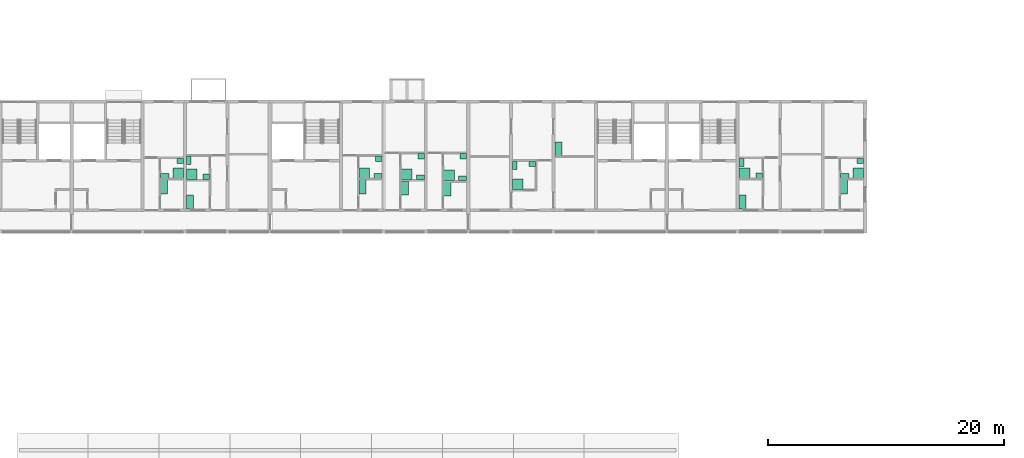
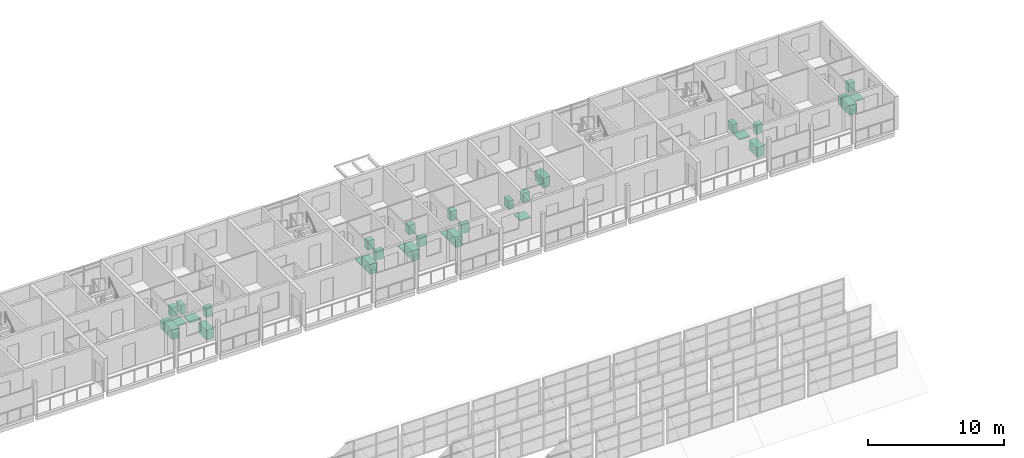
# One storey, part 122 of 122: 32 sanitary terminals.
"""IFC4 building model written with IfcOpenShell, lengths in metres."""

from ifc_helpers import new_model, si_unit, direction, frame, origin, origin_2d, place, context, subcontext, project, spatial, rectangle, extrude, element, save


model = new_model("IFC4")

# Units and contexts
model_context = context("Model", 3, precision=1e-05, world=origin(), true_north=direction((0.0, 1.0)))
body_context = subcontext(model_context, "Body", "Model", "MODEL_VIEW")
ifc_project = project(units=[si_unit("LENGTHUNIT", "METRE"), si_unit("AREAUNIT", "SQUARE_METRE"), si_unit("VOLUMEUNIT", "CUBIC_METRE"), si_unit("PLANEANGLEUNIT", "RADIAN"), si_unit("MASSUNIT", "GRAM", prefix="KILO")], contexts=[model_context])

# Site, building, storey
site_placement = place(None, origin())
site = spatial("IfcSite", under=ifc_project, at=site_placement, CompositionType="ELEMENT")
building_placement = place(site_placement, origin())
building = spatial("IfcBuilding", under=site, at=building_placement, Name="Ridgestep Commons", CompositionType="ELEMENT")
storey_placement = place(building_placement, frame((0.0, 0.0, 3.0)))
storey = spatial("IfcBuildingStorey", under=building, at=storey_placement, Name="L01", CompositionType="ELEMENT", Elevation=3.0)

# Sanitary terminals
sanitary_terminal_1_placement = place(storey_placement, frame((190.574951171875, 70.9599609375, 0.0), z_axis=(0.0, 0.0, 1.0), x_axis=(1.0, 0.0, 0.0)))
element("IfcSanitaryTerminal", 1, at=sanitary_terminal_1_placement, inside=storey, Name="Shower tray C3-01a", PredefinedType="SHOWER", context=body_context, shape_type="SweptSolid", body=[
    extrude(rectangle(XDim=0.89990234375, YDim=0.89990234375, at=origin_2d()), origin(), (0.0, 0.0, 1.0), 0.10009765625),
])
sanitary_terminal_2_placement = place(storey_placement, frame((190.324951171875, 72.14990234375, 0.0), z_axis=(0.0, 0.0, 1.0), x_axis=(1.0, 0.0, 0.0)))
element("IfcSanitaryTerminal", 2, at=sanitary_terminal_2_placement, inside=storey, Name="WC C3-01a", PredefinedType="TOILETPAN", context=body_context, shape_type="SweptSolid", body=[
    extrude(rectangle(XDim=0.39990234375, YDim=0.699951171875, at=origin_2d()), origin(), (0.0, 0.0, 1.0), 0.800048828125),
])
sanitary_terminal_3_placement = place(storey_placement, frame((191.7900390625, 70.735107421875, 0.0), z_axis=(0.0, 0.0, 1.0), x_axis=(1.0, 0.0, 0.0)))
element("IfcSanitaryTerminal", 3, at=sanitary_terminal_3_placement, inside=storey, Name="Basin C3-01a", PredefinedType="WASHHANDBASIN", context=body_context, shape_type="SweptSolid", body=[
    extrude(rectangle(XDim=0.550048828125, YDim=0.449951171875, at=origin_2d()), origin(), (0.0, 0.0, 1.0), 0.85009765625),
])
sanitary_terminal_4_placement = place(storey_placement, frame((190.425048828125, 68.60009765625, 0.0), z_axis=(0.0, 0.0, 1.0), x_axis=(1.0, 0.0, 0.0)))
element("IfcSanitaryTerminal", 4, at=sanitary_terminal_4_placement, inside=storey, Name="Kitchen sink C3-01a", PredefinedType="SINK", context=body_context, shape_type="SweptSolid", body=[
    extrude(rectangle(XDim=0.60009765625, YDim=1.199951171875, at=origin_2d()), origin(), (0.0, 0.0, 1.0), 0.89990234375),
])
sanitary_terminal_5_placement = place(storey_placement, frame((189.425048828125, 71.06005859375, 0.0), z_axis=(0.0, 0.0, 1.0), x_axis=(1.0, 0.0, 0.0)))
element("IfcSanitaryTerminal", 5, at=sanitary_terminal_5_placement, inside=storey, Name="Shower tray C3-01b", PredefinedType="SHOWER", context=body_context, shape_type="SweptSolid", body=[
    extrude(rectangle(XDim=0.89990234375, YDim=0.89990234375, at=origin_2d()), origin(), (0.0, 0.0, 1.0), 0.10009765625),
])
sanitary_terminal_6_placement = place(storey_placement, frame((188.284912109375, 70.81005859375, 0.0), z_axis=(0.0, 0.0, 1.0), x_axis=(1.0, 0.0, 0.0)))
element("IfcSanitaryTerminal", 6, at=sanitary_terminal_6_placement, inside=storey, Name="WC C3-01b", PredefinedType="TOILETPAN", context=body_context, shape_type="SweptSolid", body=[
    extrude(rectangle(XDim=0.699951171875, YDim=0.39990234375, at=origin_2d()), origin(), (0.0, 0.0, 1.0), 0.800048828125),
])
sanitary_terminal_7_placement = place(storey_placement, frame((189.60009765625, 72.074951171875, 0.0), z_axis=(0.0, 0.0, 1.0), x_axis=(1.0, 0.0, 0.0)))
element("IfcSanitaryTerminal", 7, at=sanitary_terminal_7_placement, inside=storey, Name="Basin C3-01b", PredefinedType="WASHHANDBASIN", context=body_context, shape_type="SweptSolid", body=[
    extrude(rectangle(XDim=0.550048828125, YDim=0.449951171875, at=origin_2d()), origin(), (0.0, 0.0, 1.0), 0.85009765625),
])
sanitary_terminal_8_placement = place(storey_placement, frame((188.235107421875, 69.89990234375, 0.0), z_axis=(0.0, 0.0, 1.0), x_axis=(1.0, 0.0, 0.0)))
element("IfcSanitaryTerminal", 8, at=sanitary_terminal_8_placement, inside=storey, Name="Kitchen sink C3-01b", PredefinedType="SINK", context=body_context, shape_type="SweptSolid", body=[
    extrude(rectangle(XDim=0.60009765625, YDim=1.199951171875, at=origin_2d()), origin(), (0.0, 0.0, 1.0), 0.89990234375),
])
sanitary_terminal_9_placement = place(storey_placement, frame((212.360107421875, 70.860107421875, 0.0), z_axis=(0.0, 0.0, 1.0), x_axis=(1.0, 0.0, 0.0)))
element("IfcSanitaryTerminal", 9, at=sanitary_terminal_9_placement, inside=storey, Name="Shower tray C4-01a", PredefinedType="SHOWER", context=body_context, shape_type="SweptSolid", body=[
    extrude(rectangle(XDim=0.89990234375, YDim=0.89990234375, at=origin_2d()), origin(), (0.0, 0.0, 1.0), 0.10009765625),
])
sanitary_terminal_10_placement = place(storey_placement, frame((213.5, 70.610107421875, 0.0), z_axis=(0.0, 0.0, 1.0), x_axis=(1.0, 0.0, 0.0)))
element("IfcSanitaryTerminal", 10, at=sanitary_terminal_10_placement, inside=storey, Name="WC C4-01a", PredefinedType="TOILETPAN", context=body_context, shape_type="SweptSolid", body=[
    extrude(rectangle(XDim=0.699951171875, YDim=0.39990234375, at=origin_2d()), origin(), (0.0, 0.0, 1.0), 0.800048828125),
])
sanitary_terminal_11_placement = place(storey_placement, frame((213.574951171875, 72.47509765625, 0.0), z_axis=(0.0, 0.0, 1.0), x_axis=(1.0, 0.0, 0.0)))
element("IfcSanitaryTerminal", 11, at=sanitary_terminal_11_placement, inside=storey, Name="Basin C4-01a", PredefinedType="WASHHANDBASIN", context=body_context, shape_type="SweptSolid", body=[
    extrude(rectangle(XDim=0.550048828125, YDim=0.449951171875, at=origin_2d()), origin(), (0.0, 0.0, 1.0), 0.85009765625),
])
sanitary_terminal_12_placement = place(storey_placement, frame((212.2099609375, 69.699951171875, 0.0), z_axis=(0.0, 0.0, 1.0), x_axis=(1.0, 0.0, 0.0)))
element("IfcSanitaryTerminal", 12, at=sanitary_terminal_12_placement, inside=storey, Name="Kitchen sink C4-01a", PredefinedType="SINK", context=body_context, shape_type="SweptSolid", body=[
    extrude(rectangle(XDim=0.60009765625, YDim=1.199951171875, at=origin_2d()), origin(), (0.0, 0.0, 1.0), 0.89990234375),
])
sanitary_terminal_13_placement = place(storey_placement, frame((208.760009765625, 70.9599609375, 0.0), z_axis=(0.0, 0.0, 1.0), x_axis=(1.0, 0.0, 0.0)))
element("IfcSanitaryTerminal", 13, at=sanitary_terminal_13_placement, inside=storey, Name="Shower tray C4-01b", PredefinedType="SHOWER", context=body_context, shape_type="SweptSolid", body=[
    extrude(rectangle(XDim=0.89990234375, YDim=0.89990234375, at=origin_2d()), origin(), (0.0, 0.0, 1.0), 0.10009765625),
])
sanitary_terminal_14_placement = place(storey_placement, frame((209.949951171875, 70.7099609375, 0.0), z_axis=(0.0, 0.0, 1.0), x_axis=(1.0, 0.0, 0.0)))
element("IfcSanitaryTerminal", 14, at=sanitary_terminal_14_placement, inside=storey, Name="WC C4-01b", PredefinedType="TOILETPAN", context=body_context, shape_type="SweptSolid", body=[
    extrude(rectangle(XDim=0.699951171875, YDim=0.39990234375, at=origin_2d()), origin(), (0.0, 0.0, 1.0), 0.800048828125),
])
sanitary_terminal_15_placement = place(storey_placement, frame((210.02490234375, 72.47509765625, 0.0), z_axis=(0.0, 0.0, 1.0), x_axis=(1.0, 0.0, 0.0)))
element("IfcSanitaryTerminal", 15, at=sanitary_terminal_15_placement, inside=storey, Name="Basin C4-01b", PredefinedType="WASHHANDBASIN", context=body_context, shape_type="SweptSolid", body=[
    extrude(rectangle(XDim=0.550048828125, YDim=0.449951171875, at=origin_2d()), origin(), (0.0, 0.0, 1.0), 0.85009765625),
])
sanitary_terminal_16_placement = place(storey_placement, frame((208.610107421875, 69.800048828125, 0.0), z_axis=(0.0, 0.0, 1.0), x_axis=(1.0, 0.0, 0.0)))
element("IfcSanitaryTerminal", 16, at=sanitary_terminal_16_placement, inside=storey, Name="Kitchen sink C4-01b", PredefinedType="SINK", context=body_context, shape_type="SweptSolid", body=[
    extrude(rectangle(XDim=0.60009765625, YDim=1.199951171875, at=origin_2d()), origin(), (0.0, 0.0, 1.0), 0.89990234375),
])
sanitary_terminal_17_placement = place(storey_placement, frame((205.18505859375, 71.06005859375, 0.0), z_axis=(0.0, 0.0, 1.0), x_axis=(1.0, 0.0, 0.0)))
element("IfcSanitaryTerminal", 17, at=sanitary_terminal_17_placement, inside=storey, Name="Shower tray C4-01c", PredefinedType="SHOWER", context=body_context, shape_type="SweptSolid", body=[
    extrude(rectangle(XDim=0.89990234375, YDim=0.89990234375, at=origin_2d()), origin(), (0.0, 0.0, 1.0), 0.10009765625),
])
sanitary_terminal_18_placement = place(storey_placement, frame((206.35009765625, 70.81005859375, 0.0), z_axis=(0.0, 0.0, 1.0), x_axis=(1.0, 0.0, 0.0)))
element("IfcSanitaryTerminal", 18, at=sanitary_terminal_18_placement, inside=storey, Name="WC C4-01c", PredefinedType="TOILETPAN", context=body_context, shape_type="SweptSolid", body=[
    extrude(rectangle(XDim=0.699951171875, YDim=0.39990234375, at=origin_2d()), origin(), (0.0, 0.0, 1.0), 0.800048828125),
])
sanitary_terminal_19_placement = place(storey_placement, frame((206.425048828125, 72.27490234375, 0.0), z_axis=(0.0, 0.0, 1.0), x_axis=(1.0, 0.0, 0.0)))
element("IfcSanitaryTerminal", 19, at=sanitary_terminal_19_placement, inside=storey, Name="Basin C4-01c", PredefinedType="WASHHANDBASIN", context=body_context, shape_type="SweptSolid", body=[
    extrude(rectangle(XDim=0.550048828125, YDim=0.449951171875, at=origin_2d()), origin(), (0.0, 0.0, 1.0), 0.85009765625),
])
sanitary_terminal_20_placement = place(storey_placement, frame((205.034912109375, 69.89990234375, 0.0), z_axis=(0.0, 0.0, 1.0), x_axis=(1.0, 0.0, 0.0)))
element("IfcSanitaryTerminal", 20, at=sanitary_terminal_20_placement, inside=storey, Name="Kitchen sink C4-01c", PredefinedType="SINK", context=body_context, shape_type="SweptSolid", body=[
    extrude(rectangle(XDim=0.60009765625, YDim=1.199951171875, at=origin_2d()), origin(), (0.0, 0.0, 1.0), 0.89990234375),
])
sanitary_terminal_21_placement = place(storey_placement, frame((218.175048828125, 70.110107421875, 0.0), z_axis=(0.0, 0.0, 1.0), x_axis=(1.0, 0.0, 0.0)))
element("IfcSanitaryTerminal", 21, at=sanitary_terminal_21_placement, inside=storey, Name="Shower tray C5-01a", PredefinedType="SHOWER", context=body_context, shape_type="SweptSolid", body=[
    extrude(rectangle(XDim=0.89990234375, YDim=0.89990234375, at=origin_2d()), origin(), (0.0, 0.0, 1.0), 0.10009765625),
])
sanitary_terminal_22_placement = place(storey_placement, frame((217.925048828125, 71.7099609375, 0.0), z_axis=(0.0, 0.0, 1.0), x_axis=(1.0, 0.0, 0.0)))
element("IfcSanitaryTerminal", 22, at=sanitary_terminal_22_placement, inside=storey, Name="WC C5-01a", PredefinedType="TOILETPAN", context=body_context, shape_type="SweptSolid", body=[
    extrude(rectangle(XDim=0.39990234375, YDim=0.699951171875, at=origin_2d()), origin(), (0.0, 0.0, 1.0), 0.800048828125),
])
sanitary_terminal_23_placement = place(storey_placement, frame((219.389892578125, 71.8349609375, 0.0), z_axis=(0.0, 0.0, 1.0), x_axis=(1.0, 0.0, 0.0)))
element("IfcSanitaryTerminal", 23, at=sanitary_terminal_23_placement, inside=storey, Name="Basin C5-01a", PredefinedType="WASHHANDBASIN", context=body_context, shape_type="SweptSolid", body=[
    extrude(rectangle(XDim=0.550048828125, YDim=0.449951171875, at=origin_2d()), origin(), (0.0, 0.0, 1.0), 0.85009765625),
])
sanitary_terminal_24_placement = place(storey_placement, frame((221.625, 73.110107421875, 0.0), z_axis=(0.0, 0.0, 1.0), x_axis=(1.0, 0.0, 0.0)))
element("IfcSanitaryTerminal", 24, at=sanitary_terminal_24_placement, inside=storey, Name="Kitchen sink C5-01a", PredefinedType="SINK", context=body_context, shape_type="SweptSolid", body=[
    extrude(rectangle(XDim=0.60009765625, YDim=1.199951171875, at=origin_2d()), origin(), (0.0, 0.0, 1.0), 0.89990234375),
])
sanitary_terminal_25_placement = place(storey_placement, frame((247.0, 71.06005859375, 0.0), z_axis=(0.0, 0.0, 1.0), x_axis=(1.0, 0.0, 0.0)))
element("IfcSanitaryTerminal", 25, at=sanitary_terminal_25_placement, inside=storey, Name="Shower tray C6-01a", PredefinedType="SHOWER", context=body_context, shape_type="SweptSolid", body=[
    extrude(rectangle(XDim=0.89990234375, YDim=0.89990234375, at=origin_2d()), origin(), (0.0, 0.0, 1.0), 0.10009765625),
])
sanitary_terminal_26_placement = place(storey_placement, frame((245.860107421875, 70.81005859375, 0.0), z_axis=(0.0, 0.0, 1.0), x_axis=(1.0, 0.0, 0.0)))
element("IfcSanitaryTerminal", 26, at=sanitary_terminal_26_placement, inside=storey, Name="WC C6-01a", PredefinedType="TOILETPAN", context=body_context, shape_type="SweptSolid", body=[
    extrude(rectangle(XDim=0.699951171875, YDim=0.39990234375, at=origin_2d()), origin(), (0.0, 0.0, 1.0), 0.800048828125),
])
sanitary_terminal_27_placement = place(storey_placement, frame((247.175048828125, 72.074951171875, 0.0), z_axis=(0.0, 0.0, 1.0), x_axis=(1.0, 0.0, 0.0)))
element("IfcSanitaryTerminal", 27, at=sanitary_terminal_27_placement, inside=storey, Name="Basin C6-01a", PredefinedType="WASHHANDBASIN", context=body_context, shape_type="SweptSolid", body=[
    extrude(rectangle(XDim=0.550048828125, YDim=0.449951171875, at=origin_2d()), origin(), (0.0, 0.0, 1.0), 0.85009765625),
])
sanitary_terminal_28_placement = place(storey_placement, frame((245.81005859375, 69.89990234375, 0.0), z_axis=(0.0, 0.0, 1.0), x_axis=(1.0, 0.0, 0.0)))
element("IfcSanitaryTerminal", 28, at=sanitary_terminal_28_placement, inside=storey, Name="Kitchen sink C6-01a", PredefinedType="SINK", context=body_context, shape_type="SweptSolid", body=[
    extrude(rectangle(XDim=0.60009765625, YDim=1.199951171875, at=origin_2d()), origin(), (0.0, 0.0, 1.0), 0.89990234375),
])
sanitary_terminal_29_placement = place(storey_placement, frame((237.375, 71.06005859375, 0.0), z_axis=(0.0, 0.0, 1.0), x_axis=(1.0, 0.0, 0.0)))
element("IfcSanitaryTerminal", 29, at=sanitary_terminal_29_placement, inside=storey, Name="Shower tray C6-01b", PredefinedType="SHOWER", context=body_context, shape_type="SweptSolid", body=[
    extrude(rectangle(XDim=0.89990234375, YDim=0.89990234375, at=origin_2d()), origin(), (0.0, 0.0, 1.0), 0.10009765625),
])
sanitary_terminal_30_placement = place(storey_placement, frame((237.125, 71.949951171875, 0.0), z_axis=(0.0, 0.0, 1.0), x_axis=(1.0, 0.0, 0.0)))
element("IfcSanitaryTerminal", 30, at=sanitary_terminal_30_placement, inside=storey, Name="WC C6-01b", PredefinedType="TOILETPAN", context=body_context, shape_type="SweptSolid", body=[
    extrude(rectangle(XDim=0.39990234375, YDim=0.699951171875, at=origin_2d()), origin(), (0.0, 0.0, 1.0), 0.800048828125),
])
sanitary_terminal_31_placement = place(storey_placement, frame((238.614990234375, 70.8349609375, 0.0), z_axis=(0.0, 0.0, 1.0), x_axis=(1.0, 0.0, 0.0)))
element("IfcSanitaryTerminal", 31, at=sanitary_terminal_31_placement, inside=storey, Name="Basin C6-01b", PredefinedType="WASHHANDBASIN", context=body_context, shape_type="SweptSolid", body=[
    extrude(rectangle(XDim=0.550048828125, YDim=0.449951171875, at=origin_2d()), origin(), (0.0, 0.0, 1.0), 0.85009765625),
])
sanitary_terminal_32_placement = place(storey_placement, frame((237.22509765625, 68.60009765625, 0.0), z_axis=(0.0, 0.0, 1.0), x_axis=(1.0, 0.0, 0.0)))
element("IfcSanitaryTerminal", 32, at=sanitary_terminal_32_placement, inside=storey, Name="Kitchen sink C6-01b", PredefinedType="SINK", context=body_context, shape_type="SweptSolid", body=[
    extrude(rectangle(XDim=0.60009765625, YDim=1.199951171875, at=origin_2d()), origin(), (0.0, 0.0, 1.0), 0.89990234375),
])

save(model, "model.ifc")
